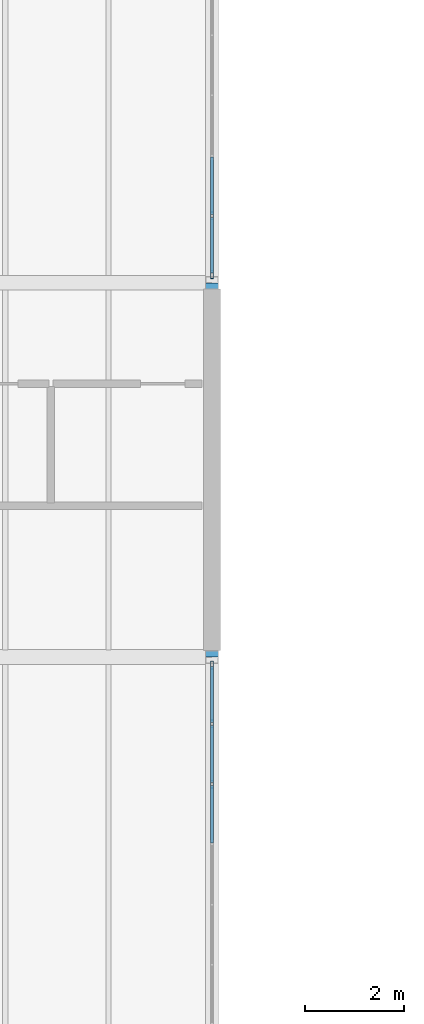
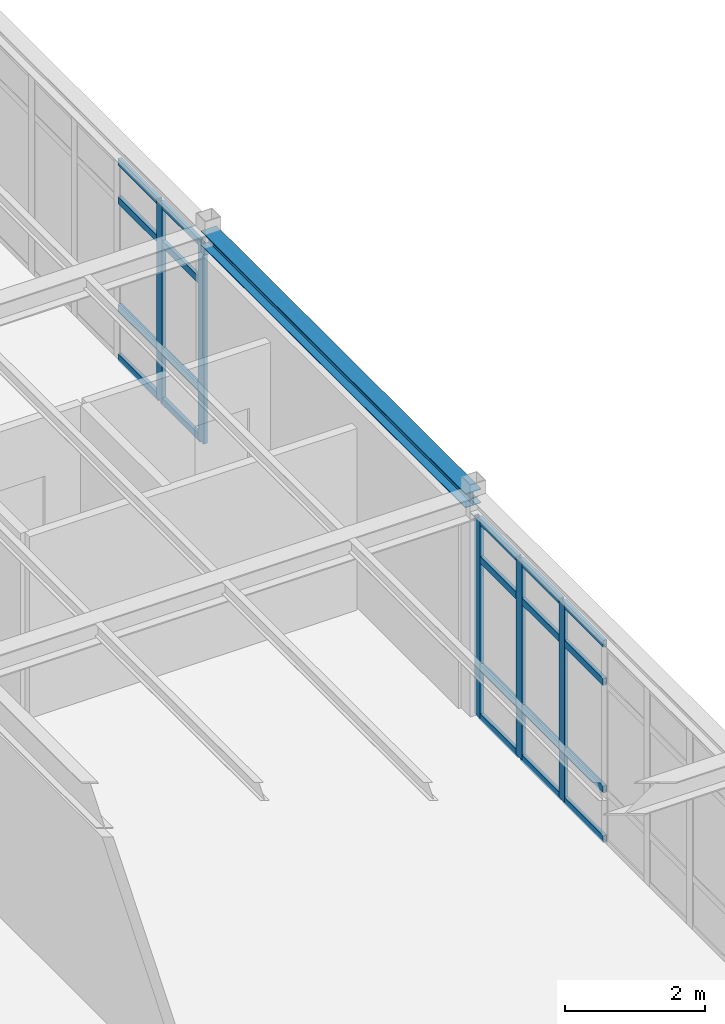
# One storey, part 105 of 189: 25 members, 1 beam, 2 elements without a shape of their own.
"""IFC4 building model written with IfcOpenShell, lengths in metres."""

from ifc_helpers import new_model, si_unit, direction, frame, origin, origin_2d, place, context, subcontext, project, spatial, hollow_rectangle, i_section, extrude, material, layer, layer_set, material_profile, profile_set, type_object, element, aggregate, save


model = new_model("IFC4")

# Units and contexts
model_context = context("Model", 3, precision=1e-05, world=origin(), true_north=direction((0.0, 1.0)))
body_context = subcontext(model_context, "Body", "Model", "MODEL_VIEW")
ifc_project = project(units=[si_unit("LENGTHUNIT", "METRE"), si_unit("AREAUNIT", "SQUARE_METRE"), si_unit("VOLUMEUNIT", "CUBIC_METRE"), si_unit("PLANEANGLEUNIT", "RADIAN"), si_unit("MASSUNIT", "GRAM", prefix="KILO")], contexts=[model_context])

# Site, building, storey
site_placement = place(None, origin())
site = spatial("IfcSite", under=ifc_project, at=site_placement, CompositionType="ELEMENT")
building_placement = place(site_placement, origin())
building = spatial("IfcBuilding", under=site, at=building_placement, Name="Montecoro Central Library", CompositionType="ELEMENT")
storey_placement = place(building_placement, frame((0.0, 0.0, 9.179931640625)))
storey = spatial("IfcBuildingStorey", under=building, at=storey_placement, Name="L02", CompositionType="ELEMENT", Elevation=9.179931640625)

# Beam
ifc_material_1 = material(Name="Steel S355", Category="steel")
ifc_material_profile_1 = material_profile(ifc_material_1, i_section(OverallWidth=0.260009765625, OverallDepth=0.25, WebThickness=0.007568359375, FlangeThickness=0.012451171875, at=origin_2d()), Name="HEA 260")
ifc_profile_set_1 = profile_set([ifc_material_profile_1], Name="Steel S355")
beam_type = type_object("IfcBeamType", Name="BM-SP-HEA260", PredefinedType="SPANDREL", material=ifc_profile_set_1)
beam_placement = place(storey_placement, frame((116.800048828125, 103.804931640625, 3.699951171875), z_axis=(0.0, 1.0, 0.0), x_axis=(-1.0, 0.0, 0.0)))
element("IfcBeam", 1, at=beam_placement, inside=storey, type_object=beam_type, Name="V2-L02-BY-15-PQ", PredefinedType="SPANDREL", context=body_context, shape_type="SweptSolid", body=[
    extrude(i_section(OverallWidth=0.260009765625, OverallDepth=0.25, WebThickness=0.007568359375, FlangeThickness=0.012451171875, at=origin_2d()), origin(), (0.0, 0.0, 1.0), 7.590087890625),
])

# Curtain wall, members
ifc_material_2 = material(Name="Bronze-anodised aluminium and low-E glazing", Category="aluminium")
ifc_layer = layer(ifc_material_2, 0.159912109375)
ifc_layer_set = layer_set([ifc_layer], Name="Bronze-anodised aluminium and low-E glazing")
curtain_wall_type = type_object("IfcCurtainWallType", Name="CWT-015", PredefinedType="NOTDEFINED", material=ifc_layer_set)
curtain_wall_1_placement = place(storey_placement, origin())
curtain_wall_1 = element("IfcCurtainWall", 2, at=curtain_wall_1_placement, inside=storey, type_object=curtain_wall_type, Name="V2-L02-CW-E2", PredefinedType="NOTDEFINED")
ifc_material_3 = material(Name="Bronze-anodised aluminium", Category="aluminium")
ifc_material_profile_2 = material_profile(ifc_material_3, hollow_rectangle(XDim=0.06005859375, YDim=0.159912109375, WallThickness=0.00390625, at=origin_2d()), Name="CWM 160x60x4.0")
ifc_profile_set_2 = profile_set([ifc_material_profile_2], Name="Bronze-anodised aluminium")
member_type_1 = type_object("IfcMemberType", Name="CWM-BRZ-60", PredefinedType="MULLION", material=ifc_profile_set_2)
member_1_placement = place(storey_placement, frame((116.800048828125, 101.222412109375, 0.0), z_axis=(0.0, 0.0, 1.0), x_axis=(-1.0, 0.0, 0.0)))
member_1 = element("IfcMember", 3, at=member_1_placement, type_object=member_type_1, Name="CW-015 mullion 5", PredefinedType="MULLION", context=body_context, shape_type="SweptSolid", body=[
    extrude(hollow_rectangle(XDim=0.06005859375, YDim=0.159912109375, WallThickness=0.00390625, at=origin_2d()), origin(), (0.0, 0.0, 1.0), 3.47998046875),
])
member_2_placement = place(storey_placement, frame((116.800048828125, 102.444580078125, 0.0), z_axis=(0.0, 0.0, 1.0), x_axis=(-1.0, 0.0, 0.0)))
member_2 = element("IfcMember", 4, at=member_2_placement, type_object=member_type_1, Name="CW-015 mullion 6", PredefinedType="MULLION", context=body_context, shape_type="SweptSolid", body=[
    extrude(hollow_rectangle(XDim=0.06005859375, YDim=0.159912109375, WallThickness=0.00390625, at=origin_2d()), origin(), (0.0, 0.0, 1.0), 3.47998046875),
])
member_3_placement = place(storey_placement, frame((116.800048828125, 103.636962890625, 0.0), z_axis=(0.0, 0.0, 1.0), x_axis=(-1.0, 0.0, 0.0)))
member_3 = element("IfcMember", 5, at=member_3_placement, type_object=member_type_1, Name="CW-015 mullion 7", PredefinedType="MULLION", context=body_context, shape_type="SweptSolid", body=[
    extrude(hollow_rectangle(XDim=0.06005859375, YDim=0.159912109375, WallThickness=0.00390625, at=origin_2d()), origin(), (0.0, 0.0, 1.0), 3.47998046875),
])

curtain_wall_2_placement = place(storey_placement, origin())
curtain_wall_2 = element("IfcCurtainWall", 6, at=curtain_wall_2_placement, inside=storey, type_object=curtain_wall_type, Name="V2-L02-CW-E4", PredefinedType="NOTDEFINED")
member_4_placement = place(storey_placement, frame((116.800048828125, 111.56298828125, 0.0), z_axis=(0.0, 0.0, 1.0), x_axis=(-1.0, 0.0, 0.0)))
member_4 = element("IfcMember", 7, at=member_4_placement, type_object=member_type_1, Name="CW-015 mullion 1", PredefinedType="MULLION", context=body_context, shape_type="SweptSolid", body=[
    extrude(hollow_rectangle(XDim=0.06005859375, YDim=0.159912109375, WallThickness=0.00390625, at=origin_2d()), origin(), (0.0, 0.0, 1.0), 3.47998046875),
])
member_5_placement = place(storey_placement, frame((116.800048828125, 112.75537109375, 0.0), z_axis=(0.0, 0.0, 1.0), x_axis=(-1.0, 0.0, 0.0)))
member_5 = element("IfcMember", 8, at=member_5_placement, type_object=member_type_1, Name="CW-015 mullion 2", PredefinedType="MULLION", context=body_context, shape_type="SweptSolid", body=[
    extrude(hollow_rectangle(XDim=0.06005859375, YDim=0.159912109375, WallThickness=0.00390625, at=origin_2d()), origin(), (0.0, 0.0, 1.0), 3.47998046875),
])

# Member
ifc_material_profile_3 = material_profile(ifc_material_3, hollow_rectangle(XDim=0.06005859375, YDim=0.1201171875, WallThickness=0.00390625, at=origin_2d()), Name="CWT 120x60x4.0")
ifc_profile_set_3 = profile_set([ifc_material_profile_3], Name="Bronze-anodised aluminium")
member_type_2 = type_object("IfcMemberType", Name="CWT-BRZ-60", PredefinedType="USERDEFINED", material=ifc_profile_set_3)
member_6_placement = place(storey_placement, frame((116.800048828125, 100.030029296875, 0.030029296875), z_axis=(0.0, 1.0, 0.0), x_axis=(-1.0, 0.0, 0.0)))
member_6 = element("IfcMember", 9, at=member_6_placement, type_object=member_type_2, Name="CW-015 transom 4.1", ObjectType="TRANSOM", PredefinedType="USERDEFINED", context=body_context, shape_type="SweptSolid", body=[
    extrude(hollow_rectangle(XDim=0.06005859375, YDim=0.1201171875, WallThickness=0.00390625, at=origin_2d()), origin(), (0.0, 0.0, 1.0), 1.162353515625),
])

member_7_placement = place(storey_placement, frame((116.800048828125, 100.030029296875, 0.900146484375), z_axis=(0.0, 1.0, 0.0), x_axis=(-1.0, 0.0, 0.0)))
member_7 = element("IfcMember", 10, at=member_7_placement, type_object=member_type_2, Name="CW-015 transom 4.2", ObjectType="TRANSOM", PredefinedType="USERDEFINED", context=body_context, shape_type="SweptSolid", body=[
    extrude(hollow_rectangle(XDim=0.06005859375, YDim=0.1201171875, WallThickness=0.00390625, at=origin_2d()), origin(), (0.0, 0.0, 1.0), 1.162353515625),
])

member_8_placement = place(storey_placement, frame((116.800048828125, 100.030029296875, 2.780029296875), z_axis=(0.0, 1.0, 0.0), x_axis=(-1.0, 0.0, 0.0)))
member_8 = element("IfcMember", 11, at=member_8_placement, type_object=member_type_2, Name="CW-015 transom 4.3", ObjectType="TRANSOM", PredefinedType="USERDEFINED", context=body_context, shape_type="SweptSolid", body=[
    extrude(hollow_rectangle(XDim=0.06005859375, YDim=0.1201171875, WallThickness=0.00390625, at=origin_2d()), origin(), (0.0, 0.0, 1.0), 1.162353515625),
])

member_9_placement = place(storey_placement, frame((116.800048828125, 100.030029296875, 3.449951171875), z_axis=(0.0, 1.0, 0.0), x_axis=(-1.0, 0.0, 0.0)))
member_9 = element("IfcMember", 12, at=member_9_placement, type_object=member_type_2, Name="CW-015 transom 4.4", ObjectType="TRANSOM", PredefinedType="USERDEFINED", context=body_context, shape_type="SweptSolid", body=[
    extrude(hollow_rectangle(XDim=0.06005859375, YDim=0.1201171875, WallThickness=0.00390625, at=origin_2d()), origin(), (0.0, 0.0, 1.0), 1.162353515625),
])

member_10_placement = place(storey_placement, frame((116.800048828125, 101.25244140625, 0.030029296875), z_axis=(0.0, 1.0, 0.0), x_axis=(-1.0, 0.0, 0.0)))
member_10 = element("IfcMember", 13, at=member_10_placement, type_object=member_type_2, Name="CW-015 transom 5.1", ObjectType="TRANSOM", PredefinedType="USERDEFINED", context=body_context, shape_type="SweptSolid", body=[
    extrude(hollow_rectangle(XDim=0.06005859375, YDim=0.1201171875, WallThickness=0.00390625, at=origin_2d()), origin(), (0.0, 0.0, 1.0), 1.162109375),
])

member_11_placement = place(storey_placement, frame((116.800048828125, 101.25244140625, 0.900146484375), z_axis=(0.0, 1.0, 0.0), x_axis=(-1.0, 0.0, 0.0)))
member_11 = element("IfcMember", 14, at=member_11_placement, type_object=member_type_2, Name="CW-015 transom 5.2", ObjectType="TRANSOM", PredefinedType="USERDEFINED", context=body_context, shape_type="SweptSolid", body=[
    extrude(hollow_rectangle(XDim=0.06005859375, YDim=0.1201171875, WallThickness=0.00390625, at=origin_2d()), origin(), (0.0, 0.0, 1.0), 1.162109375),
])

member_12_placement = place(storey_placement, frame((116.800048828125, 101.25244140625, 2.780029296875), z_axis=(0.0, 1.0, 0.0), x_axis=(-1.0, 0.0, 0.0)))
member_12 = element("IfcMember", 15, at=member_12_placement, type_object=member_type_2, Name="CW-015 transom 5.3", ObjectType="TRANSOM", PredefinedType="USERDEFINED", context=body_context, shape_type="SweptSolid", body=[
    extrude(hollow_rectangle(XDim=0.06005859375, YDim=0.1201171875, WallThickness=0.00390625, at=origin_2d()), origin(), (0.0, 0.0, 1.0), 1.162109375),
])

member_13_placement = place(storey_placement, frame((116.800048828125, 101.25244140625, 3.449951171875), z_axis=(0.0, 1.0, 0.0), x_axis=(-1.0, 0.0, 0.0)))
member_13 = element("IfcMember", 16, at=member_13_placement, type_object=member_type_2, Name="CW-015 transom 5.4", ObjectType="TRANSOM", PredefinedType="USERDEFINED", context=body_context, shape_type="SweptSolid", body=[
    extrude(hollow_rectangle(XDim=0.06005859375, YDim=0.1201171875, WallThickness=0.00390625, at=origin_2d()), origin(), (0.0, 0.0, 1.0), 1.162109375),
])

member_14_placement = place(storey_placement, frame((116.800048828125, 102.474609375, 0.030029296875), z_axis=(0.0, 1.0, 0.0), x_axis=(-1.0, 0.0, 0.0)))
member_14 = element("IfcMember", 17, at=member_14_placement, type_object=member_type_2, Name="CW-015 transom 6.1", ObjectType="TRANSOM", PredefinedType="USERDEFINED", context=body_context, shape_type="SweptSolid", body=[
    extrude(hollow_rectangle(XDim=0.06005859375, YDim=0.1201171875, WallThickness=0.00390625, at=origin_2d()), origin(), (0.0, 0.0, 1.0), 1.13232421875),
])

member_15_placement = place(storey_placement, frame((116.800048828125, 102.474609375, 0.900146484375), z_axis=(0.0, 1.0, 0.0), x_axis=(-1.0, 0.0, 0.0)))
member_15 = element("IfcMember", 18, at=member_15_placement, type_object=member_type_2, Name="CW-015 transom 6.2", ObjectType="TRANSOM", PredefinedType="USERDEFINED", context=body_context, shape_type="SweptSolid", body=[
    extrude(hollow_rectangle(XDim=0.06005859375, YDim=0.1201171875, WallThickness=0.00390625, at=origin_2d()), origin(), (0.0, 0.0, 1.0), 1.13232421875),
])

member_16_placement = place(storey_placement, frame((116.800048828125, 102.474609375, 2.780029296875), z_axis=(0.0, 1.0, 0.0), x_axis=(-1.0, 0.0, 0.0)))
member_16 = element("IfcMember", 19, at=member_16_placement, type_object=member_type_2, Name="CW-015 transom 6.3", ObjectType="TRANSOM", PredefinedType="USERDEFINED", context=body_context, shape_type="SweptSolid", body=[
    extrude(hollow_rectangle(XDim=0.06005859375, YDim=0.1201171875, WallThickness=0.00390625, at=origin_2d()), origin(), (0.0, 0.0, 1.0), 1.13232421875),
])

member_17_placement = place(storey_placement, frame((116.800048828125, 102.474609375, 3.449951171875), z_axis=(0.0, 1.0, 0.0), x_axis=(-1.0, 0.0, 0.0)))
member_17 = element("IfcMember", 20, at=member_17_placement, type_object=member_type_2, Name="CW-015 transom 6.4", ObjectType="TRANSOM", PredefinedType="USERDEFINED", context=body_context, shape_type="SweptSolid", body=[
    extrude(hollow_rectangle(XDim=0.06005859375, YDim=0.1201171875, WallThickness=0.00390625, at=origin_2d()), origin(), (0.0, 0.0, 1.0), 1.13232421875),
])

aggregate(curtain_wall_1, [member_1, member_2, member_3, member_6, member_7, member_8, member_9, member_10, member_11, member_12, member_13, member_14, member_15, member_16, member_17])

member_18_placement = place(storey_placement, frame((116.800048828125, 111.593017578125, 0.030029296875), z_axis=(0.0, 1.0, 0.0), x_axis=(-1.0, 0.0, 0.0)))
member_18 = element("IfcMember", 21, at=member_18_placement, type_object=member_type_2, Name="CW-015 transom 1.1", ObjectType="TRANSOM", PredefinedType="USERDEFINED", context=body_context, shape_type="SweptSolid", body=[
    extrude(hollow_rectangle(XDim=0.06005859375, YDim=0.1201171875, WallThickness=0.00390625, at=origin_2d()), origin(), (0.0, 0.0, 1.0), 1.13232421875),
])

member_19_placement = place(storey_placement, frame((116.800048828125, 111.593017578125, 0.900146484375), z_axis=(0.0, 1.0, 0.0), x_axis=(-1.0, 0.0, 0.0)))
member_19 = element("IfcMember", 22, at=member_19_placement, type_object=member_type_2, Name="CW-015 transom 1.2", ObjectType="TRANSOM", PredefinedType="USERDEFINED", context=body_context, shape_type="SweptSolid", body=[
    extrude(hollow_rectangle(XDim=0.06005859375, YDim=0.1201171875, WallThickness=0.00390625, at=origin_2d()), origin(), (0.0, 0.0, 1.0), 1.13232421875),
])

member_20_placement = place(storey_placement, frame((116.800048828125, 111.593017578125, 2.780029296875), z_axis=(0.0, 1.0, 0.0), x_axis=(-1.0, 0.0, 0.0)))
member_20 = element("IfcMember", 23, at=member_20_placement, type_object=member_type_2, Name="CW-015 transom 1.3", ObjectType="TRANSOM", PredefinedType="USERDEFINED", context=body_context, shape_type="SweptSolid", body=[
    extrude(hollow_rectangle(XDim=0.06005859375, YDim=0.1201171875, WallThickness=0.00390625, at=origin_2d()), origin(), (0.0, 0.0, 1.0), 1.13232421875),
])

member_21_placement = place(storey_placement, frame((116.800048828125, 111.593017578125, 3.449951171875), z_axis=(0.0, 1.0, 0.0), x_axis=(-1.0, 0.0, 0.0)))
member_21 = element("IfcMember", 24, at=member_21_placement, type_object=member_type_2, Name="CW-015 transom 1.4", ObjectType="TRANSOM", PredefinedType="USERDEFINED", context=body_context, shape_type="SweptSolid", body=[
    extrude(hollow_rectangle(XDim=0.06005859375, YDim=0.1201171875, WallThickness=0.00390625, at=origin_2d()), origin(), (0.0, 0.0, 1.0), 1.13232421875),
])

member_22_placement = place(storey_placement, frame((116.800048828125, 112.785400390625, 0.030029296875), z_axis=(0.0, 1.0, 0.0), x_axis=(-1.0, 0.0, 0.0)))
member_22 = element("IfcMember", 25, at=member_22_placement, type_object=member_type_2, Name="CW-015 transom 2.1", ObjectType="TRANSOM", PredefinedType="USERDEFINED", context=body_context, shape_type="SweptSolid", body=[
    extrude(hollow_rectangle(XDim=0.06005859375, YDim=0.1201171875, WallThickness=0.00390625, at=origin_2d()), origin(), (0.0, 0.0, 1.0), 1.162353515625),
])

member_23_placement = place(storey_placement, frame((116.800048828125, 112.785400390625, 0.900146484375), z_axis=(0.0, 1.0, 0.0), x_axis=(-1.0, 0.0, 0.0)))
member_23 = element("IfcMember", 26, at=member_23_placement, type_object=member_type_2, Name="CW-015 transom 2.2", ObjectType="TRANSOM", PredefinedType="USERDEFINED", context=body_context, shape_type="SweptSolid", body=[
    extrude(hollow_rectangle(XDim=0.06005859375, YDim=0.1201171875, WallThickness=0.00390625, at=origin_2d()), origin(), (0.0, 0.0, 1.0), 1.162353515625),
])

member_24_placement = place(storey_placement, frame((116.800048828125, 112.785400390625, 2.780029296875), z_axis=(0.0, 1.0, 0.0), x_axis=(-1.0, 0.0, 0.0)))
member_24 = element("IfcMember", 27, at=member_24_placement, type_object=member_type_2, Name="CW-015 transom 2.3", ObjectType="TRANSOM", PredefinedType="USERDEFINED", context=body_context, shape_type="SweptSolid", body=[
    extrude(hollow_rectangle(XDim=0.06005859375, YDim=0.1201171875, WallThickness=0.00390625, at=origin_2d()), origin(), (0.0, 0.0, 1.0), 1.162353515625),
])

member_25_placement = place(storey_placement, frame((116.800048828125, 112.785400390625, 3.449951171875), z_axis=(0.0, 1.0, 0.0), x_axis=(-1.0, 0.0, 0.0)))
member_25 = element("IfcMember", 28, at=member_25_placement, type_object=member_type_2, Name="CW-015 transom 2.4", ObjectType="TRANSOM", PredefinedType="USERDEFINED", context=body_context, shape_type="SweptSolid", body=[
    extrude(hollow_rectangle(XDim=0.06005859375, YDim=0.1201171875, WallThickness=0.00390625, at=origin_2d()), origin(), (0.0, 0.0, 1.0), 1.162353515625),
])

aggregate(curtain_wall_2, [member_4, member_5, member_18, member_19, member_20, member_21, member_22, member_23, member_24, member_25])

save(model, "model.ifc")
